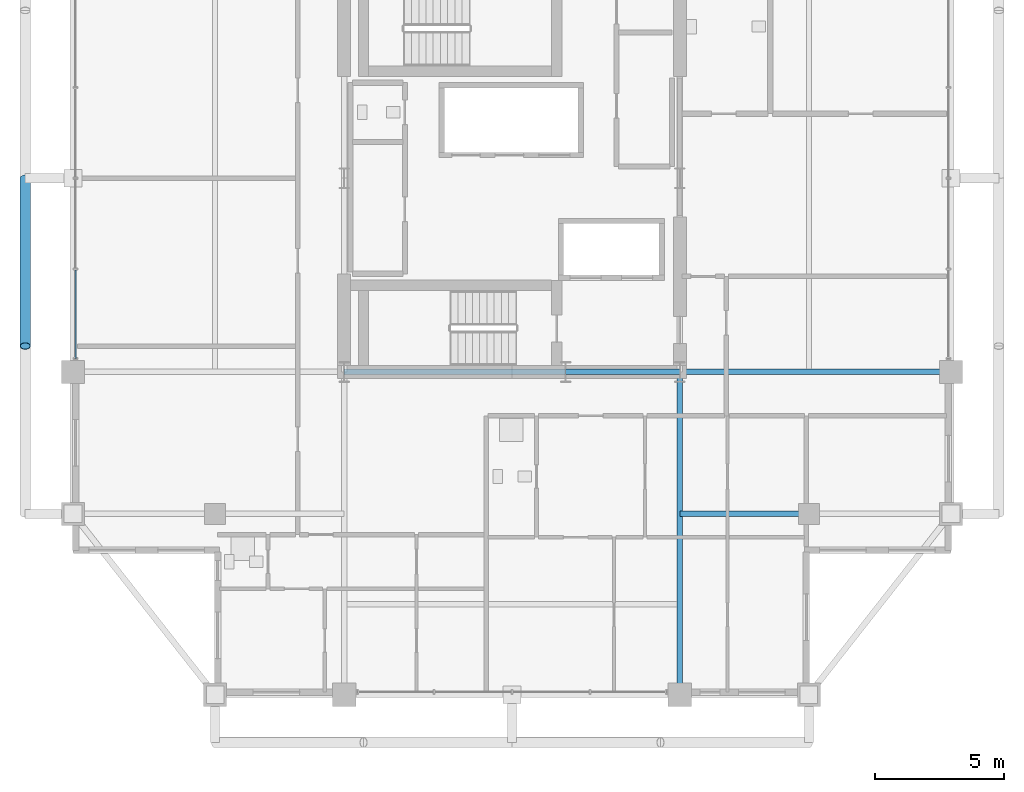
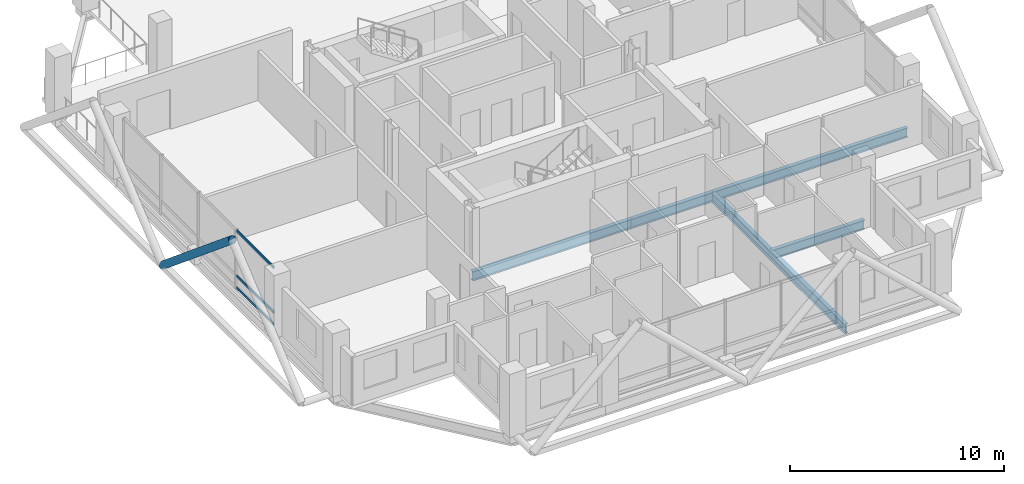
# One storey, part 7 of 21: 5 beams, 4 members, 1 element without a shape of its own.
"""IFC4 building model written with IfcOpenShell, lengths in metres."""

from ifc_helpers import new_model, si_unit, direction, frame, origin, origin_2d, place, context, subcontext, project, spatial, hollow_rectangle, hollow_circle, i_section, extrude, material, layer, layer_set, material_profile, profile_set, type_object, element, aggregate, save


model = new_model("IFC4")

# Units and contexts
model_context = context("Model", 3, precision=1e-05, world=origin(), true_north=direction((0.0, 1.0)))
body_context = subcontext(model_context, "Body", "Model", "MODEL_VIEW")
ifc_project = project(units=[si_unit("LENGTHUNIT", "METRE"), si_unit("AREAUNIT", "SQUARE_METRE"), si_unit("VOLUMEUNIT", "CUBIC_METRE"), si_unit("PLANEANGLEUNIT", "RADIAN"), si_unit("MASSUNIT", "GRAM", prefix="KILO")], contexts=[model_context])

# Site, building, storey
site_placement = place(None, origin())
site = spatial("IfcSite", under=ifc_project, at=site_placement, CompositionType="ELEMENT")
building_placement = place(site_placement, origin())
building = spatial("IfcBuilding", under=site, at=building_placement, Name="Barlavira Tower and Art Museum", CompositionType="ELEMENT")
storey_placement = place(building_placement, frame((0.0, 0.0, 261.89990234375)))
storey = spatial("IfcBuildingStorey", under=building, at=storey_placement, Name="L68", CompositionType="ELEMENT", Elevation=261.89990234375)

# Curtain wall, members
ifc_material_1 = material(Name="Low-iron coastal laminated glass", Category="glass")
ifc_layer = layer(ifc_material_1, 0.2099609375, Name="Low-iron coastal laminated glass")
ifc_layer_set = layer_set([ifc_layer], Name="Low-iron coastal laminated glass")
curtain_wall_type = type_object("IfcCurtainWallType", Name="Pale-Metal Unitised Curtain Wall Zone 4", PredefinedType="NOTDEFINED", material=ifc_layer_set)
curtain_wall_placement = place(storey_placement, origin())
curtain_wall = element("IfcCurtainWall", 1, at=curtain_wall_placement, inside=storey, type_object=curtain_wall_type, Name="L68 Curtain Wall CW4-L68-W-B2", PredefinedType="NOTDEFINED")
ifc_material_2 = material(Name="Pale anodised aluminium", Category="aluminium")
ifc_material_profile_1 = material_profile(ifc_material_2, hollow_rectangle(XDim=0.06494140625, YDim=0.139892578125, WallThickness=0.00390625, at=origin_2d()), Name="ALU-TRAN 65x140x4")
ifc_profile_set_1 = profile_set([ifc_material_profile_1], Name="Pale anodised aluminium")
member_type_1 = type_object("IfcMemberType", Name="Curtain Wall Pale-Metal Transom 65x140", PredefinedType="USERDEFINED", material=ifc_profile_set_1)
member_1_placement = place(storey_placement, frame((-16.89990234375, -3.56005859375, 0.070068359375), z_axis=(0.0, -1.0, 0.0), x_axis=(1.0, 0.0, 0.0)))
member_1 = element("IfcMember", 2, at=member_1_placement, type_object=member_type_1, Name="CW4-L68-W-B2 Transom 3.1", ObjectType="TRANSOM", PredefinedType="USERDEFINED", context=body_context, shape_type="SweptSolid", body=[
    extrude(hollow_rectangle(XDim=0.06494140625, YDim=0.139892578125, WallThickness=0.00390625, at=origin_2d()), origin(), (0.0, 0.0, 1.0), 3.425048828125),
])
member_2_placement = place(storey_placement, frame((-16.89990234375, -3.56005859375, 0.744140625), z_axis=(0.0, -1.0, 0.0), x_axis=(1.0, 0.0, 0.0)))
member_2 = element("IfcMember", 3, at=member_2_placement, type_object=member_type_1, Name="CW4-L68-W-B2 Transom 3.2", ObjectType="TRANSOM", PredefinedType="USERDEFINED", context=body_context, shape_type="SweptSolid", body=[
    extrude(hollow_rectangle(XDim=0.06494140625, YDim=0.139892578125, WallThickness=0.00390625, at=origin_2d()), origin(), (0.0, 0.0, 1.0), 3.425048828125),
])
member_3_placement = place(storey_placement, frame((-16.89990234375, -3.56005859375, 3.31005859375), z_axis=(0.0, -1.0, 0.0), x_axis=(1.0, 0.0, 0.0)))
member_3 = element("IfcMember", 4, at=member_3_placement, type_object=member_type_1, Name="CW4-L68-W-B2 Transom 3.3", ObjectType="TRANSOM", PredefinedType="USERDEFINED", context=body_context, shape_type="SweptSolid", body=[
    extrude(hollow_rectangle(XDim=0.06494140625, YDim=0.139892578125, WallThickness=0.00390625, at=origin_2d()), origin(), (0.0, 0.0, 1.0), 3.425048828125),
])
aggregate(curtain_wall, [member_1, member_2, member_3])

# Member
ifc_material_3 = material(Name="Steel S355", Category="steel")
ifc_material_profile_2 = material_profile(ifc_material_3, hollow_circle(Radius=0.203125, WallThickness=0.01611328125, at=origin_2d()), Name="CHS 406.4x16.0")
ifc_profile_set_2 = profile_set([ifc_material_profile_2], Name="Steel S355")
member_type_2 = type_object("IfcMemberType", Name="Pale-Metal Exoskeleton Diagrid Tube CHS 406x16 Steel S355", PredefinedType="BRACE", material=ifc_profile_set_2)
member_4_placement = place(storey_placement, frame((-18.85009765625, 0.0, -0.119873046875), z_axis=(0.0, -0.769196053329, 0.639012857104), x_axis=(1.0, 0.0, 0.0)))
element("IfcMember", 5, at=member_4_placement, inside=storey, type_object=member_type_2, Name="L68 Exoskeleton Diagrid Tube W", PredefinedType="BRACE", context=body_context, shape_type="SweptSolid", body=[
    extrude(hollow_circle(Radius=0.203125, WallThickness=0.01611328125, at=origin_2d()), origin(), (0.0, 0.0, 1.0), 8.450439453125),
])

# Beams
ifc_material_profile_3 = material_profile(ifc_material_3, i_section(OverallWidth=0.2109375, OverallDepth=0.5390625, WebThickness=0.01171875, FlangeThickness=0.018798828125, at=origin_2d()), Name="W530x109.0")
ifc_profile_set_3 = profile_set([ifc_material_profile_3], Name="Steel S355")
beam_type = type_object("IfcBeamType", Name="Zone 3-4 Primary Floor Girder W530x109 Steel S355", PredefinedType="BEAM", material=ifc_profile_set_3)
beam_1_placement = place(storey_placement, frame((-6.5, -7.5, -0.489501953125), z_axis=(1.0, 0.0, 0.0), x_axis=(0.0, 1.0, 0.0)))
element("IfcBeam", 6, at=beam_1_placement, inside=storey, type_object=beam_type, Name="L68 Girder C-S1", PredefinedType="BEAM", context=body_context, shape_type="SweptSolid", body=[
    extrude(i_section(OverallWidth=0.2109375, OverallDepth=0.5390625, WebThickness=0.01171875, FlangeThickness=0.018798828125, at=origin_2d()), origin(), (0.0, 0.0, 1.0), 8.580078125),
])
beam_2_placement = place(storey_placement, frame((2.080078125, -7.5, -0.489501953125), z_axis=(1.0, 0.0, 0.0), x_axis=(0.0, 1.0, 0.0)))
element("IfcBeam", 7, at=beam_2_placement, inside=storey, type_object=beam_type, Name="L68 Girder C-S2", PredefinedType="BEAM", context=body_context, shape_type="SweptSolid", body=[
    extrude(i_section(OverallWidth=0.2109375, OverallDepth=0.5390625, WebThickness=0.01171875, FlangeThickness=0.018798828125, at=origin_2d()), origin(), (0.0, 0.0, 1.0), 4.419921875),
])
beam_3_placement = place(storey_placement, frame((6.5, -20.0, -0.489501953125), z_axis=(0.0, 1.0, 0.0), x_axis=(-1.0, 0.0, 0.0)))
element("IfcBeam", 8, at=beam_3_placement, inside=storey, type_object=beam_type, Name="L68 Girder R-S2", PredefinedType="BEAM", context=body_context, shape_type="SweptSolid", body=[
    extrude(i_section(OverallWidth=0.2109375, OverallDepth=0.5390625, WebThickness=0.01171875, FlangeThickness=0.018798828125, at=origin_2d()), origin(), (0.0, 0.0, 1.0), 12.5),
])
beam_4_placement = place(storey_placement, frame((6.5, -7.5, -0.489501953125), z_axis=(1.0, 0.0, 0.0), x_axis=(0.0, 1.0, 0.0)))
element("IfcBeam", 9, at=beam_4_placement, inside=storey, type_object=beam_type, Name="L68 Girder R-E1", PredefinedType="BEAM", context=body_context, shape_type="SweptSolid", body=[
    extrude(i_section(OverallWidth=0.2109375, OverallDepth=0.5390625, WebThickness=0.01171875, FlangeThickness=0.018798828125, at=origin_2d()), origin(), (0.0, 0.0, 1.0), 10.5),
])
beam_5_placement = place(storey_placement, frame((6.5, -13.0, -0.489501953125), z_axis=(1.0, 0.0, 0.0), x_axis=(0.0, 1.0, 0.0)))
element("IfcBeam", 10, at=beam_5_placement, inside=storey, type_object=beam_type, Name="L68 Girder I-S3", PredefinedType="BEAM", context=body_context, shape_type="SweptSolid", body=[
    extrude(i_section(OverallWidth=0.2109375, OverallDepth=0.5390625, WebThickness=0.01171875, FlangeThickness=0.018798828125, at=origin_2d()), origin(), (0.0, 0.0, 1.0), 5.0),
])

save(model, "model.ifc")
